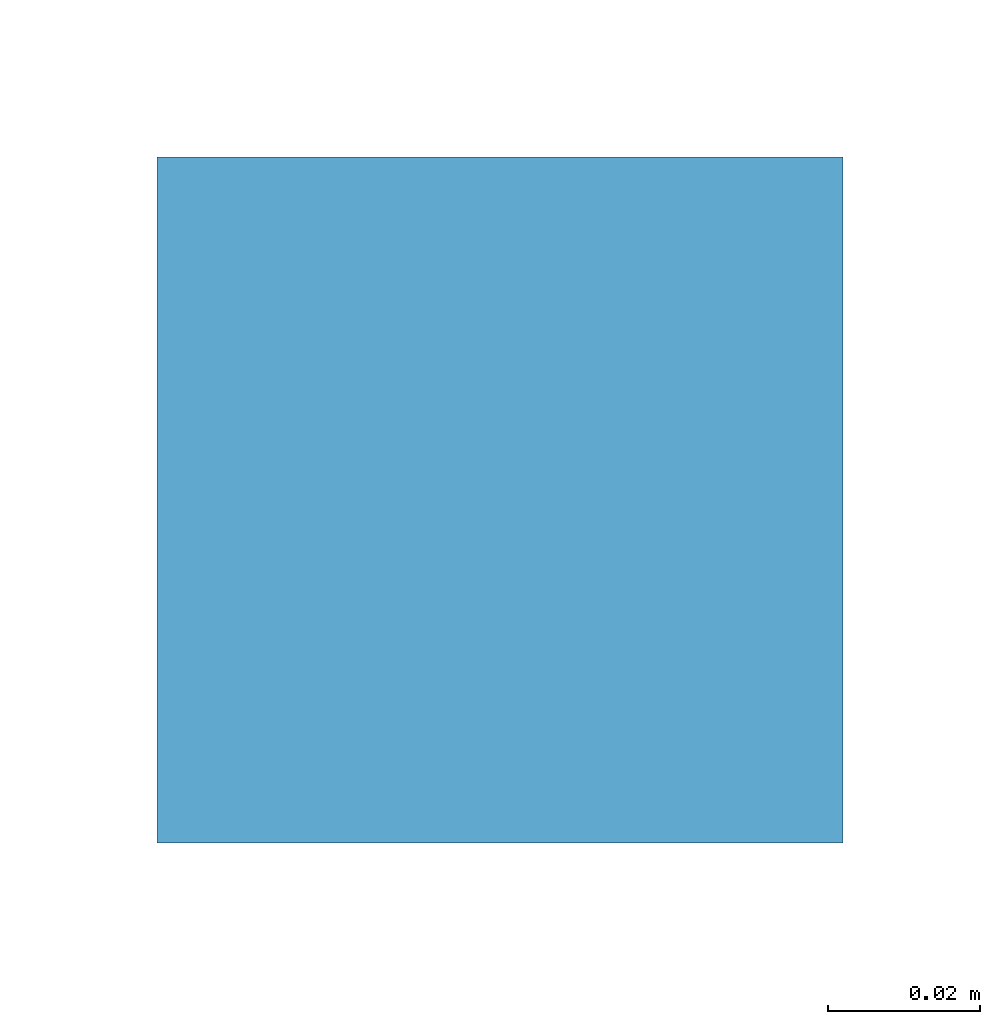
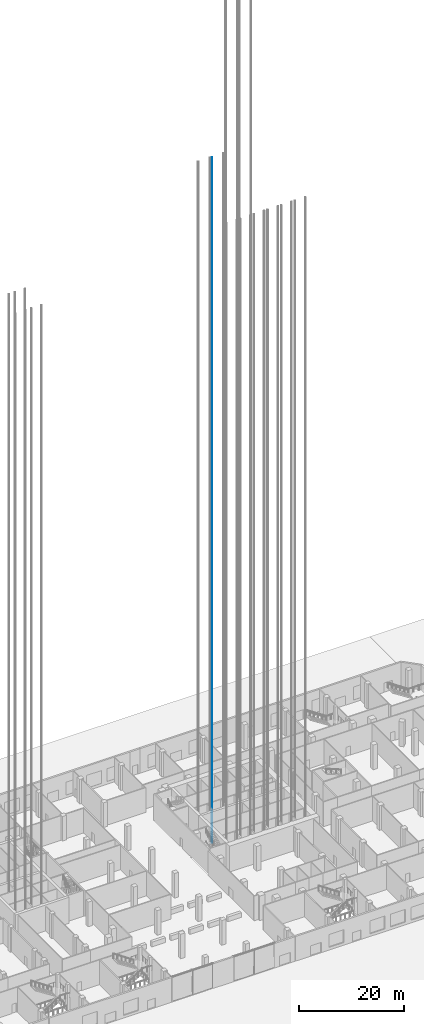
# One storey, part 26 of 55: 1 member.
"""IFC4 building model written with IfcOpenShell, lengths in metres."""

from ifc_helpers import new_model, si_unit, direction, frame, origin, origin_2d, place, context, subcontext, project, spatial, rectangle, extrude, material, material_profile, profile_set, type_object, element, save


model = new_model("IFC4")

# Units and contexts
model_context = context("Model", 3, precision=1e-05, world=origin(), true_north=direction((0.0, 1.0)))
body_context = subcontext(model_context, "Body", "Model", "MODEL_VIEW")
ifc_project = project(units=[si_unit("LENGTHUNIT", "METRE"), si_unit("AREAUNIT", "SQUARE_METRE"), si_unit("VOLUMEUNIT", "CUBIC_METRE"), si_unit("PLANEANGLEUNIT", "RADIAN"), si_unit("MASSUNIT", "GRAM", prefix="KILO")], contexts=[model_context])

# Site, building, storey
site_placement = place(None, origin())
site = spatial("IfcSite", under=ifc_project, at=site_placement, CompositionType="ELEMENT")
building_placement = place(site_placement, origin())
building = spatial("IfcBuilding", under=site, at=building_placement, Name="Cinnabar Reach Civic Tower", CompositionType="ELEMENT")
storey_placement = place(building_placement, origin())
storey = spatial("IfcBuildingStorey", under=building, at=storey_placement, Name="L00", CompositionType="ELEMENT", Elevation=0.0)

# Member
ifc_material = material(Name="Steel Q355B", Category="steel")
ifc_material_profile = material_profile(ifc_material, rectangle(XDim=0.09, YDim=0.09, at=origin_2d()), Name="T1 lift guide rail")
ifc_profile_set = profile_set([ifc_material_profile], Name="Steel Q355B")
member_type = type_object("IfcMemberType", Name="T1 lift guide rail", PredefinedType="USERDEFINED", material=ifc_profile_set)
member_placement = place(storey_placement, frame((7.72, 33.0, -2.5), z_axis=(0.0, 0.0, 1.0), x_axis=(1.0, 0.0, 0.0)))
element("IfcMember", 1, at=member_placement, inside=storey, type_object=member_type, Name="T1-SH2 guide rail 1", ObjectType="GUIDE RAIL", PredefinedType="USERDEFINED", context=body_context, shape_type="SweptSolid", body=[
    extrude(rectangle(XDim=0.09, YDim=0.09, at=origin_2d()), origin(), (0.0, 0.0, 1.0), 158.9),
])

save(model, "model.ifc")
